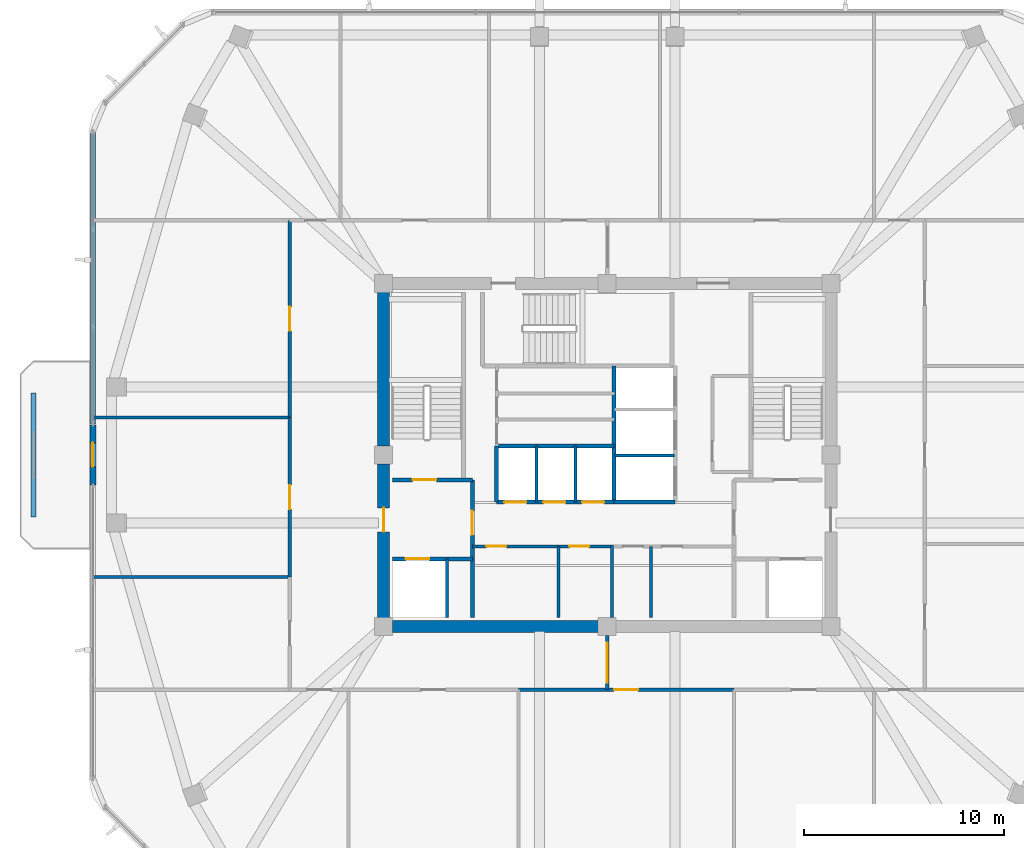
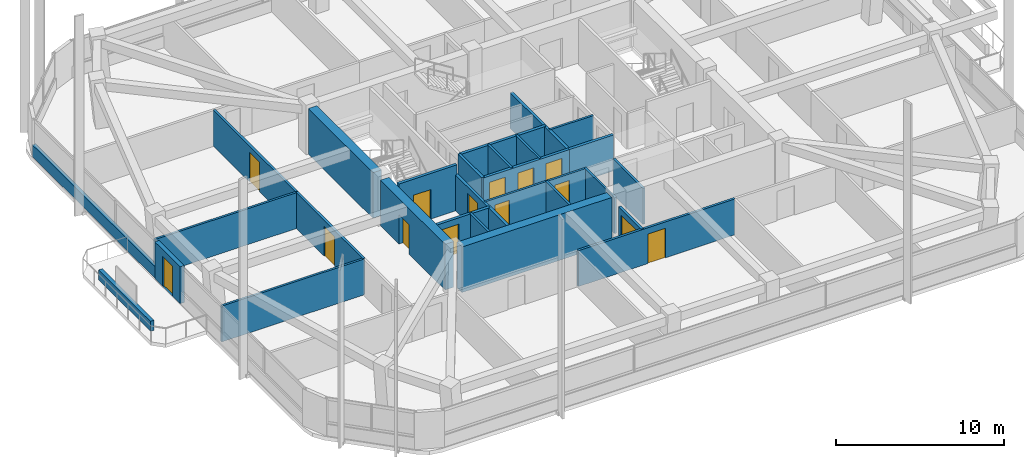
# One storey, part 10 of 17: 28 walls, 14 doors, 14 openings.
"""IFC4 building model written with IfcOpenShell, lengths in metres."""

from ifc_helpers import new_model, si_unit, derived_unit, direction, frame, frame_2d, origin, place, context, subcontext, project, spatial, rectangle, extrude, material, layer, layer_set, type_object, element, fill, save


model = new_model("IFC4")

# Units and contexts
model_context = context("Model", 3, precision=1e-05, world=origin(), true_north=direction((0.0, 1.0)))
body_context = subcontext(model_context, "Body", "Model", "MODEL_VIEW")
ifc_project = project(units=[si_unit("LENGTHUNIT", "METRE"), si_unit("AREAUNIT", "SQUARE_METRE"), si_unit("VOLUMEUNIT", "CUBIC_METRE"), si_unit("PLANEANGLEUNIT", "RADIAN"), si_unit("MASSUNIT", "GRAM", prefix="KILO"), derived_unit("THERMALTRANSMITTANCEUNIT", [(si_unit("POWERUNIT", "WATT"), 1), (si_unit("LENGTHUNIT", "METRE"), -2), (si_unit("THERMODYNAMICTEMPERATUREUNIT", "KELVIN"), -1)])], contexts=[model_context])

# Site, building, storey
site_placement = place(None, origin())
site = spatial("IfcSite", under=ifc_project, at=site_placement, CompositionType="ELEMENT")
building_placement = place(site_placement, origin())
building = spatial("IfcBuilding", under=site, at=building_placement, Name="Koralith Skygarden Medical Center", CompositionType="ELEMENT")
storey_placement = place(building_placement, frame((0.0, 0.0, 207.179931640625)))
storey = spatial("IfcBuildingStorey", under=building, at=storey_placement, Name="L53", CompositionType="ELEMENT", Elevation=207.179931640625)

# Wall, openings, doors
ifc_material_1 = material(Name="Gypsum Board Partition")
ifc_layer_1 = layer(ifc_material_1, 0.14990234375)
ifc_layer_set_1 = layer_set([ifc_layer_1], Name="Gypsum Board Partition")
wall_type_1 = type_object("IfcWallType", Name="Clinical Acoustic Partition 150", PredefinedType="PARTITIONING", material=ifc_layer_set_1)
wall_1_placement = place(storey_placement, frame((30.25, 21.320068359375, 0.0), z_axis=(0.0, 0.0, 1.0), x_axis=(1.0, 0.0, 0.0)))
wall_1 = element("IfcWall", 1, at=wall_1_placement, inside=storey, type_object=wall_type_1, Name="L53 Clinical Acoustic Partition 150 W-CORE-L53-FREED-LR-N", PredefinedType="PARTITIONING", context=body_context, shape_type="SweptSolid", body=[
    extrude(rectangle(XDim=7.0, YDim=0.14990234375, at=frame_2d((3.5, 0.0))), origin(), (0.0, 0.0, 1.0), 2.610107421875),
])
opening_1_placement = place(wall_1_placement, frame((0.699951171875, 0.0, 0.0)))
opening_1 = element("IfcOpeningElement", 2, at=opening_1_placement, cuts=wall_1, Name="Opening D-SUP", PredefinedType="OPENING", context=body_context, shape_type="SweptSolid", body=[
    extrude(rectangle(XDim=1.0, YDim=2.14990234375, at=frame_2d((0.5, 1.074951171875))), frame((0.0, 0.0849609375, 0.0), z_axis=(0.0, -1.0, 0.0), x_axis=(1.0, 0.0, 0.0)), (0.0, 0.0, 1.0), 0.169921875),
])
opening_2_placement = place(wall_1_placement, frame((4.85009765625, 0.0, 0.0)))
opening_2 = element("IfcOpeningElement", 3, at=opening_2_placement, cuts=wall_1, Name="Opening D-SUP", PredefinedType="OPENING", context=body_context, shape_type="SweptSolid", body=[
    extrude(rectangle(XDim=1.0, YDim=2.14990234375, at=frame_2d((0.5, 1.074951171875))), frame((0.0, 0.0849609375, 0.0), z_axis=(0.0, -1.0, 0.0), x_axis=(1.0, 0.0, 0.0)), (0.0, 0.0, 1.0), 0.169921875),
])
ifc_material_2 = material(Name="Aluminium 6063-T6", Category="aluminium")
door_type_1 = type_object("IfcDoorType", Name="Clinical Support Door D-SUP 1000", OperationType="NOTDEFINED", PredefinedType="DOOR", material=ifc_material_2)
door_1_placement = place(opening_1_placement, frame((1.0, 0.0, 0.0), z_axis=(0.0, 0.0, 1.0), x_axis=(-1.0, 0.0, 0.0)))
door_1 = element("IfcDoor", 4, at=door_1_placement, inside=storey, type_object=door_type_1, Name="L53 Medication Preparation Door", OperationType="SINGLE_SWING_LEFT", OverallHeight=2.14990234375, OverallWidth=1.0, PredefinedType="DOOR", context=body_context, shape_type="SweptSolid", body=[
    extrude(rectangle(XDim=1.0, YDim=2.14990234375, at=frame_2d((0.5, 1.074951171875))), frame((0.0, 0.02490234375, 0.0), z_axis=(0.0, -1.0, 0.0), x_axis=(1.0, 0.0, 0.0)), (0.0, 0.0, 1.0), 0.050048828125),
])
fill(opening_1, door_1)
door_2_placement = place(opening_2_placement, frame((1.0, 0.0, 0.0), z_axis=(0.0, 0.0, 1.0), x_axis=(-1.0, 0.0, 0.0)))
door_2 = element("IfcDoor", 5, at=door_2_placement, inside=storey, type_object=door_type_1, Name="L53 Telemetry Room Door", OperationType="SINGLE_SWING_RIGHT", OverallHeight=2.14990234375, OverallWidth=1.0, PredefinedType="DOOR", context=body_context, shape_type="SweptSolid", body=[
    extrude(rectangle(XDim=1.0, YDim=2.14990234375, at=frame_2d((0.5, 1.074951171875))), frame((0.0, 0.02490234375, 0.0), z_axis=(0.0, -1.0, 0.0), x_axis=(1.0, 0.0, 0.0)), (0.0, 0.0, 1.0), 0.050048828125),
])
fill(opening_2, door_2)

# Walls
for number, where, z_axis, x_axis, name in (
    (6, (34.550048828125, 17.75, 0.0), (0.0, 0.0, 1.0), (0.0, 1.0, 0.0), "L53 Clinical Acoustic Partition 150 W-CORE-L53-FREED-LR-M"),
    (7, (39.199951171875, 17.75, 0.0), (0.0, 0.0, 1.0), (0.0, 1.0, 0.0), "L53 Clinical Acoustic Partition 150 W-CORE-L53-FREED-MR-M"),
):
    element("IfcWall", number, at=place(storey_placement, frame(where, z_axis=z_axis, x_axis=x_axis)), inside=storey, type_object=wall_type_1, Name=name, PredefinedType="PARTITIONING", context=body_context, shape_type="SweptSolid", body=[
        extrude(rectangle(XDim=3.570068359375, YDim=0.14990234375, at=frame_2d((1.78515625, 0.0))), origin(), (0.0, 0.0, 1.0), 2.610107421875),
    ])
for number, where, z_axis, x_axis, name in (
    (8, (21.10009765625, 19.7900390625, 0.0), (0.0, 0.0, 1.0), (-1.0, 0.0, 0.0), "L53 Clinical Acoustic Partition 150 W-PART-L53-W-01"),
    (9, (21.10009765625, 27.780029296875, 0.0), (0.0, 0.0, 1.0), (-1.0, 0.0, 0.0), "L53 Clinical Acoustic Partition 150 W-PART-L53-W-02"),
):
    element("IfcWall", number, at=place(storey_placement, frame(where, z_axis=z_axis, x_axis=x_axis)), inside=storey, type_object=wall_type_1, Name=name, PredefinedType="PARTITIONING", context=body_context, shape_type="SweptSolid", body=[
        extrude(rectangle(XDim=9.8330078125, YDim=0.14990234375, at=frame_2d((4.91650390625, 0.0))), origin(), (0.0, 0.0, 1.0), 2.610107421875),
    ])

# Wall, opening, door
ifc_layer_2 = layer(ifc_material_1, 0.1650390625)
ifc_layer_set_2 = layer_set([ifc_layer_2], Name="Gypsum Board Partition")
wall_type_2 = type_object("IfcWallType", Name="Clinical Corridor Partition 165", PredefinedType="PARTITIONING", material=ifc_layer_set_2)
wall_2_placement = place(storey_placement, frame((32.552001953125, 14.14990234375, 0.0), z_axis=(0.0, 0.0, 1.0), x_axis=(1.0, 0.0, 0.0)))
wall_2 = element("IfcWall", 10, at=wall_2_placement, inside=storey, type_object=wall_type_2, Name="L53 Clinical Corridor Partition 165 W-CORR-L53-S-03", PredefinedType="PARTITIONING", context=body_context, shape_type="SweptSolid", body=[
    extrude(rectangle(XDim=10.7900390625, YDim=0.1650390625, at=frame_2d((5.39501953125, 0.0))), origin(), (0.0, 0.0, 1.0), 2.610107421875),
])
opening_3_placement = place(wall_2_placement, frame((4.794921875, 0.0, 0.0)))
opening_3 = element("IfcOpeningElement", 11, at=opening_3_placement, cuts=wall_2, Name="Opening D-CLN", PredefinedType="OPENING", context=body_context, shape_type="SweptSolid", body=[
    extrude(rectangle(XDim=1.199951171875, YDim=2.14990234375, at=frame_2d((0.60009765625, 1.074951171875))), frame((0.0, 0.092529296875, 0.0), z_axis=(0.0, -1.0, 0.0), x_axis=(1.0, 0.0, 0.0)), (0.0, 0.0, 1.0), 0.18505859375),
])
door_type_2 = type_object("IfcDoorType", Name="Clinical Corridor Door D-CLN 1200", OperationType="NOTDEFINED", PredefinedType="DOOR", material=ifc_material_2)
door_3_placement = place(opening_3_placement, frame((1.199951171875, 0.0, 0.0), z_axis=(0.0, 0.0, 1.0), x_axis=(-1.0, 0.0, 0.0)))
door_3 = element("IfcDoor", 12, at=door_3_placement, inside=storey, type_object=door_type_2, Name="L53 Clinical Consultation Office 08 Door", OperationType="SINGLE_SWING_LEFT", OverallHeight=2.14990234375, OverallWidth=1.199951171875, PredefinedType="DOOR", context=body_context, shape_type="SweptSolid", body=[
    extrude(rectangle(XDim=1.199951171875, YDim=2.14990234375, at=frame_2d((0.60009765625, 1.074951171875))), frame((0.0, 0.02490234375, 0.0), z_axis=(0.0, -1.0, 0.0), x_axis=(1.0, 0.0, 0.0)), (0.0, 0.0, 1.0), 0.050048828125),
])
fill(opening_3, door_3)

wall_3_placement = place(storey_placement, frame((21.10009765625, 19.7900390625, 0.0), z_axis=(0.0, 0.0, 1.0), x_axis=(0.0, 1.0, 0.0)))
wall_3 = element("IfcWall", 13, at=wall_3_placement, inside=storey, type_object=wall_type_2, Name="L53 Clinical Corridor Partition 165 W-CORR-L53-W-02", PredefinedType="PARTITIONING", context=body_context, shape_type="SweptSolid", body=[
    extrude(rectangle(XDim=7.989990234375, YDim=0.1650390625, at=frame_2d((3.9951171875, 0.0))), origin(), (0.0, 0.0, 1.0), 2.610107421875),
])
opening_4_placement = place(wall_3_placement, frame((3.39501953125, 0.0, 0.0)))
opening_4 = element("IfcOpeningElement", 14, at=opening_4_placement, cuts=wall_3, Name="Opening D-CLN", PredefinedType="OPENING", context=body_context, shape_type="SweptSolid", body=[
    extrude(rectangle(XDim=1.199951171875, YDim=2.14990234375, at=frame_2d((0.60009765625, 1.074951171875))), frame((0.0, 0.092529296875, 0.0), z_axis=(0.0, -1.0, 0.0), x_axis=(1.0, 0.0, 0.0)), (0.0, 0.0, 1.0), 0.18505859375),
])
door_4_placement = place(opening_4_placement, frame((1.199951171875, 0.0, 0.0), z_axis=(0.0, 0.0, 1.0), x_axis=(-1.0, 0.0, 0.0)))
door_4 = element("IfcDoor", 15, at=door_4_placement, inside=storey, type_object=door_type_2, Name="L53 Patient and Family Sky-Garden Day Lounge 12 Door", OperationType="SINGLE_SWING_LEFT", OverallHeight=2.14990234375, OverallWidth=1.199951171875, PredefinedType="DOOR", context=body_context, shape_type="SweptSolid", body=[
    extrude(rectangle(XDim=1.199951171875, YDim=2.14990234375, at=frame_2d((0.60009765625, 1.074951171875))), frame((0.0, 0.02490234375, 0.0), z_axis=(0.0, -1.0, 0.0), x_axis=(1.0, 0.0, 0.0)), (0.0, 0.0, 1.0), 0.050048828125),
])
fill(opening_4, door_4)

wall_4_placement = place(storey_placement, frame((21.10009765625, 27.780029296875, 0.0), z_axis=(0.0, 0.0, 1.0), x_axis=(0.0, 1.0, 0.0)))
wall_4 = element("IfcWall", 16, at=wall_4_placement, inside=storey, type_object=wall_type_2, Name="L53 Clinical Corridor Partition 165 W-CORR-L53-W-03", PredefinedType="PARTITIONING", context=body_context, shape_type="SweptSolid", body=[
    extrude(rectangle(XDim=9.869873046875, YDim=0.1650390625, at=frame_2d((4.93505859375, 0.0))), origin(), (0.0, 0.0, 1.0), 2.610107421875),
])
opening_5_placement = place(wall_4_placement, frame((4.3349609375, 0.0, 0.0)))
opening_5 = element("IfcOpeningElement", 17, at=opening_5_placement, cuts=wall_4, Name="Opening D-CLN", PredefinedType="OPENING", context=body_context, shape_type="SweptSolid", body=[
    extrude(rectangle(XDim=1.199951171875, YDim=2.14990234375, at=frame_2d((0.60009765625, 1.074951171875))), frame((0.0, 0.092529296875, 0.0), z_axis=(0.0, -1.0, 0.0), x_axis=(1.0, 0.0, 0.0)), (0.0, 0.0, 1.0), 0.18505859375),
])
door_5_placement = place(opening_5_placement, frame((1.199951171875, 0.0, 0.0), z_axis=(0.0, 0.0, 1.0), x_axis=(-1.0, 0.0, 0.0)))
door_5 = element("IfcDoor", 18, at=door_5_placement, inside=storey, type_object=door_type_2, Name="L53 Clinical Consultation Office 13 Door", OperationType="SINGLE_SWING_RIGHT", OverallHeight=2.14990234375, OverallWidth=1.199951171875, PredefinedType="DOOR", context=body_context, shape_type="SweptSolid", body=[
    extrude(rectangle(XDim=1.199951171875, YDim=2.14990234375, at=frame_2d((0.60009765625, 1.074951171875))), frame((0.0, 0.02490234375, 0.0), z_axis=(0.0, -1.0, 0.0), x_axis=(1.0, 0.0, 0.0)), (0.0, 0.0, 1.0), 0.050048828125),
])
fill(opening_5, door_5)

ifc_layer_3 = layer(ifc_material_1, 0.199951171875)
ifc_layer_set_3 = layer_set([ifc_layer_3], Name="Gypsum Board Partition")
wall_type_3 = type_object("IfcWallType", Name="Fire Shaft Wall 200", PredefinedType="SOLIDWALL", material=ifc_layer_set_3)
wall_5_placement = place(storey_placement, frame((26.25, 20.699951171875, 0.0), z_axis=(0.0, 0.0, 1.0), x_axis=(1.0, 0.0, 0.0)))
wall_5 = element("IfcWall", 19, at=wall_5_placement, inside=storey, type_object=wall_type_3, Name="L53 Fire Shaft Wall 200 W-CORE-L53-FF1-N", PredefinedType="SOLIDWALL", context=body_context, shape_type="SweptSolid", body=[
    extrude(rectangle(XDim=4.0, YDim=0.199951171875, at=frame_2d((2.0, 0.0))), origin(), (0.0, 0.0, 1.0), 2.610107421875),
])
opening_6_placement = place(wall_5_placement, frame((0.64990234375, 0.0, 0.0)))
opening_6 = element("IfcOpeningElement", 20, at=opening_6_placement, cuts=wall_5, Name="Opening LD-FF", PredefinedType="OPENING", context=body_context, shape_type="SweptSolid", body=[
    extrude(rectangle(XDim=1.199951171875, YDim=2.14990234375, at=frame_2d((0.60009765625, 1.074951171875))), frame((0.0, 0.10986328125, 0.0), z_axis=(0.0, -1.0, 0.0), x_axis=(1.0, 0.0, 0.0)), (0.0, 0.0, 1.0), 0.219970703125),
])
ifc_material_3 = material(Name="Steel ASTM A500 Grade C", Category="steel")
door_type_3 = type_object("IfcDoorType", Name="Fire Lift Sliding Landing Door LD-FF 1200", OperationType="NOTDEFINED", PredefinedType="DOOR", material=ifc_material_3)
door_6_placement = place(opening_6_placement, origin())
door_6 = element("IfcDoor", 21, at=door_6_placement, inside=storey, type_object=door_type_3, Name="L53 Fire Service Elevator FF1 Landing Door", OperationType="SLIDING_TO_LEFT", OverallHeight=2.14990234375, OverallWidth=1.199951171875, PredefinedType="DOOR", context=body_context, shape_type="SweptSolid", body=[
    extrude(rectangle(XDim=1.199951171875, YDim=2.14990234375, at=frame_2d((0.60009765625, 1.074951171875))), frame((0.0, 0.02490234375, 0.0), z_axis=(0.0, -1.0, 0.0), x_axis=(1.0, 0.0, 0.0)), (0.0, 0.0, 1.0), 0.050048828125),
])
fill(opening_6, door_6)

wall_6_placement = place(storey_placement, frame((30.25, 17.75, 0.0), z_axis=(0.0, 0.0, 1.0), x_axis=(0.0, 1.0, 0.0)))
wall_6 = element("IfcWall", 22, at=wall_6_placement, inside=storey, type_object=wall_type_3, Name="L53 Fire Shaft Wall 200 W-CORE-L53-FSAEW-E", PredefinedType="SOLIDWALL", context=body_context, shape_type="SweptSolid", body=[
    extrude(rectangle(XDim=6.89990234375, YDim=0.199951171875, at=frame_2d((3.449951171875, 0.0))), origin(), (0.0, 0.0, 1.0), 2.610107421875),
])
opening_7_placement = place(wall_6_placement, frame((4.14990234375, 0.0, 0.0)))
opening_7 = element("IfcOpeningElement", 23, at=opening_7_placement, cuts=wall_6, Name="Opening D-ST60", PredefinedType="OPENING", context=body_context, shape_type="SweptSolid", body=[
    extrude(rectangle(XDim=1.199951171875, YDim=2.14990234375, at=frame_2d((0.60009765625, 1.074951171875))), frame((0.0, 0.10986328125, 0.0), z_axis=(0.0, -1.0, 0.0), x_axis=(1.0, 0.0, 0.0)), (0.0, 0.0, 1.0), 0.219970703125),
])
door_type_4 = type_object("IfcDoorType", Name="Smokeproof Stair Fire Door FD60S 1200", OperationType="NOTDEFINED", PredefinedType="DOOR", material=ifc_material_3)
door_7_placement = place(opening_7_placement, origin())
door_7 = element("IfcDoor", 24, at=door_7_placement, inside=storey, type_object=door_type_4, Name="L53 West Firefighting Lobby Inner Fire Door", OperationType="SINGLE_SWING_LEFT", OverallHeight=2.14990234375, OverallWidth=1.199951171875, PredefinedType="DOOR", context=body_context, shape_type="SweptSolid", body=[
    extrude(rectangle(XDim=1.199951171875, YDim=2.14990234375, at=frame_2d((0.60009765625, 1.074951171875))), frame((0.0, 0.02490234375, 0.0), z_axis=(0.0, -1.0, 0.0), x_axis=(1.0, 0.0, 0.0)), (0.0, 0.0, 1.0), 0.050048828125),
])
fill(opening_7, door_7)

# Wall, openings, doors
wall_7_placement = place(storey_placement, frame((31.449951171875, 23.5400390625, 0.0), z_axis=(0.0, 0.0, 1.0), x_axis=(1.0, 0.0, 0.0)))
wall_7 = element("IfcWall", 25, at=wall_7_placement, inside=storey, type_object=wall_type_3, Name="L53 Fire Shaft Wall 200 W-CORE-L53-PH-S", PredefinedType="SOLIDWALL", context=body_context, shape_type="SweptSolid", body=[
    extrude(rectangle(XDim=5.900146484375, YDim=0.199951171875, at=frame_2d((2.9501953125, 0.0))), origin(), (0.0, 0.0, 1.0), 2.610107421875),
])
opening_8_placement = place(wall_7_placement, frame((0.39990234375, 0.0, 0.0)))
opening_8 = element("IfcOpeningElement", 26, at=opening_8_placement, cuts=wall_7, Name="Opening LD-P", PredefinedType="OPENING", context=body_context, shape_type="SweptSolid", body=[
    extrude(rectangle(XDim=1.10009765625, YDim=2.14990234375, at=frame_2d((0.550048828125, 1.074951171875))), frame((0.0, 0.10986328125, 0.0), z_axis=(0.0, -1.0, 0.0), x_axis=(1.0, 0.0, 0.0)), (0.0, 0.0, 1.0), 0.219970703125),
])
opening_9_placement = place(wall_7_placement, frame((2.35009765625, 0.0, 0.0)))
opening_9 = element("IfcOpeningElement", 27, at=opening_9_placement, cuts=wall_7, Name="Opening LD-P", PredefinedType="OPENING", context=body_context, shape_type="SweptSolid", body=[
    extrude(rectangle(XDim=1.10009765625, YDim=2.14990234375, at=frame_2d((0.550048828125, 1.074951171875))), frame((0.0, 0.10986328125, 0.0), z_axis=(0.0, -1.0, 0.0), x_axis=(1.0, 0.0, 0.0)), (0.0, 0.0, 1.0), 0.219970703125),
])
opening_10_placement = place(wall_7_placement, frame((4.300048828125, 0.0, 0.0)))
opening_10 = element("IfcOpeningElement", 28, at=opening_10_placement, cuts=wall_7, Name="Opening LD-P", PredefinedType="OPENING", context=body_context, shape_type="SweptSolid", body=[
    extrude(rectangle(XDim=1.10009765625, YDim=2.14990234375, at=frame_2d((0.550048828125, 1.074951171875))), frame((0.0, 0.10986328125, 0.0), z_axis=(0.0, -1.0, 0.0), x_axis=(1.0, 0.0, 0.0)), (0.0, 0.0, 1.0), 0.219970703125),
])
door_type_5 = type_object("IfcDoorType", Name="Passenger Lift Sliding Landing Door LD-P 1100", OperationType="NOTDEFINED", PredefinedType="DOOR", material=ifc_material_3)
door_8_placement = place(opening_8_placement, origin())
door_8 = element("IfcDoor", 29, at=door_8_placement, inside=storey, type_object=door_type_5, Name="L53 Passenger Elevator PH1 Landing Door", OperationType="SLIDING_TO_RIGHT", OverallHeight=2.14990234375, OverallWidth=1.10009765625, PredefinedType="DOOR", context=body_context, shape_type="SweptSolid", body=[
    extrude(rectangle(XDim=1.10009765625, YDim=2.14990234375, at=frame_2d((0.550048828125, 1.074951171875))), frame((0.0, 0.02490234375, 0.0), z_axis=(0.0, -1.0, 0.0), x_axis=(1.0, 0.0, 0.0)), (0.0, 0.0, 1.0), 0.050048828125),
])
fill(opening_8, door_8)
door_9_placement = place(opening_9_placement, origin())
door_9 = element("IfcDoor", 30, at=door_9_placement, inside=storey, type_object=door_type_5, Name="L53 Passenger Elevator PH2 Landing Door", OperationType="SLIDING_TO_RIGHT", OverallHeight=2.14990234375, OverallWidth=1.10009765625, PredefinedType="DOOR", context=body_context, shape_type="SweptSolid", body=[
    extrude(rectangle(XDim=1.10009765625, YDim=2.14990234375, at=frame_2d((0.550048828125, 1.074951171875))), frame((0.0, 0.02490234375, 0.0), z_axis=(0.0, -1.0, 0.0), x_axis=(1.0, 0.0, 0.0)), (0.0, 0.0, 1.0), 0.050048828125),
])
fill(opening_9, door_9)
door_10_placement = place(opening_10_placement, origin())
door_10 = element("IfcDoor", 31, at=door_10_placement, inside=storey, type_object=door_type_5, Name="L53 Passenger Elevator PH3 Landing Door", OperationType="SLIDING_TO_RIGHT", OverallHeight=2.14990234375, OverallWidth=1.10009765625, PredefinedType="DOOR", context=body_context, shape_type="SweptSolid", body=[
    extrude(rectangle(XDim=1.10009765625, YDim=2.14990234375, at=frame_2d((0.550048828125, 1.074951171875))), frame((0.0, 0.02490234375, 0.0), z_axis=(0.0, -1.0, 0.0), x_axis=(1.0, 0.0, 0.0)), (0.0, 0.0, 1.0), 0.050048828125),
])
fill(opening_10, door_10)

# Walls
wall_8_placement = place(storey_placement, frame((31.449951171875, 26.35009765625, 0.0), z_axis=(0.0, 0.0, 1.0), x_axis=(1.0, 0.0, 0.0)))
element("IfcWall", 32, at=wall_8_placement, inside=storey, type_object=wall_type_3, Name="L53 Fire Shaft Wall 200 W-CORE-L53-PH-N", PredefinedType="SOLIDWALL", context=body_context, shape_type="SweptSolid", body=[
    extrude(rectangle(XDim=5.900146484375, YDim=0.199951171875, at=frame_2d((2.9501953125, 0.0))), origin(), (0.0, 0.0, 1.0), 2.610107421875),
])
wall_9_placement = place(storey_placement, frame((31.449951171875, 23.5400390625, 0.0), z_axis=(0.0, 0.0, 1.0), x_axis=(0.0, 1.0, 0.0)))
element("IfcWall", 33, at=wall_9_placement, inside=storey, type_object=wall_type_3, Name="L53 Fire Shaft Wall 200 W-CORE-L53-PH-W", PredefinedType="SOLIDWALL", context=body_context, shape_type="SweptSolid", body=[
    extrude(rectangle(XDim=2.81005859375, YDim=0.199951171875, at=frame_2d((1.405029296875, 0.0))), origin(), (0.0, 0.0, 1.0), 2.610107421875),
])
wall_10_placement = place(storey_placement, frame((37.35009765625, 23.5400390625, 0.0), z_axis=(0.0, 0.0, 1.0), x_axis=(0.0, 1.0, 0.0)))
element("IfcWall", 34, at=wall_10_placement, inside=storey, type_object=wall_type_3, Name="L53 Fire Shaft Wall 200 W-CORE-L53-SV-W", PredefinedType="SOLIDWALL", context=body_context, shape_type="SweptSolid", body=[
    extrude(rectangle(XDim=6.820068359375, YDim=0.199951171875, at=frame_2d((3.41015625, 0.0))), origin(), (0.0, 0.0, 1.0), 2.610107421875),
])
wall_11_placement = place(storey_placement, frame((37.35009765625, 23.5400390625, 0.0), z_axis=(0.0, 0.0, 1.0), x_axis=(1.0, 0.0, 0.0)))
element("IfcWall", 35, at=wall_11_placement, inside=storey, type_object=wall_type_3, Name="L53 Fire Shaft Wall 200 W-CORE-L53-SV-S", PredefinedType="SOLIDWALL", context=body_context, shape_type="SweptSolid", body=[
    extrude(rectangle(XDim=3.0498046875, YDim=0.199951171875, at=frame_2d((1.52490234375, 0.0))), origin(), (0.0, 0.0, 1.0), 2.610107421875),
])

# Wall, opening, door
ifc_layer_4 = layer(ifc_material_1, 0.179931640625)
ifc_layer_set_4 = layer_set([ifc_layer_4], Name="Gypsum Board Partition")
wall_type_4 = type_object("IfcWallType", Name="Group I-2 Smoke Barrier Wall 180", PredefinedType="PARTITIONING", material=ifc_layer_set_4)
wall_12_placement = place(storey_placement, frame((37.0, 14.14990234375, 0.0), z_axis=(0.0, 0.0, 1.0), x_axis=(0.0, 1.0, 0.0)))
wall_12 = element("IfcWall", 36, at=wall_12_placement, inside=storey, type_object=wall_type_4, Name="L53 Group I-2 Smoke Barrier Wall 180 W-SMK-L53-S", PredefinedType="PARTITIONING", context=body_context, shape_type="SweptSolid", body=[
    extrude(rectangle(XDim=2.7001953125, YDim=0.179931640625, at=frame_2d((1.35009765625, 0.0))), origin(), (0.0, 0.0, 1.0), 2.610107421875),
])
opening_11_placement = place(wall_12_placement, frame((0.35009765625, 0.0, 0.0)))
opening_11 = element("IfcOpeningElement", 37, at=opening_11_placement, cuts=wall_12, Name="Opening D-SMK", PredefinedType="OPENING", context=body_context, shape_type="SweptSolid", body=[
    extrude(rectangle(XDim=2.0, YDim=2.199951171875, at=frame_2d((1.0, 1.10009765625))), frame((0.0, 0.099853515625, 0.0), z_axis=(0.0, -1.0, 0.0), x_axis=(1.0, 0.0, 0.0)), (0.0, 0.0, 1.0), 0.199951171875),
])
door_type_6 = type_object("IfcDoorType", Name="Cross-Corridor Double Smoke Door FD60S 2000", OperationType="NOTDEFINED", PredefinedType="DOOR", material=ifc_material_3)
door_11_placement = place(opening_11_placement, frame((2.0, 0.0, 0.0), z_axis=(0.0, 0.0, 1.0), x_axis=(-1.0, 0.0, 0.0)))
door_11 = element("IfcDoor", 38, at=door_11_placement, inside=storey, type_object=door_type_6, Name="L53 S Smoke Compartment Cross-Corridor Door", OperationType="DOUBLE_DOOR_SINGLE_SWING", OverallHeight=2.199951171875, OverallWidth=2.0, PredefinedType="DOOR", context=body_context, shape_type="SweptSolid", body=[
    extrude(rectangle(XDim=2.0, YDim=2.199951171875, at=frame_2d((1.0, 1.10009765625))), frame((0.0, 0.02490234375, 0.0), z_axis=(0.0, -1.0, 0.0), x_axis=(1.0, 0.0, 0.0)), (0.0, 0.0, 1.0), 0.050048828125),
])
fill(opening_11, door_11)

# Wall
ifc_material_4 = material(Name="Warm Oolitic Limestone Cladding", Category="masonry")
ifc_layer_5 = layer(ifc_material_4, 0.239990234375)
ifc_layer_set_5 = layer_set([ifc_layer_5], Name="Warm Oolitic Limestone Cladding")
wall_type_5 = type_object("IfcWallType", Name="Limestone Spandrel Sill Backup Wall 240", PredefinedType="SOLIDWALL", material=ifc_layer_set_5)
wall_13_placement = place(storey_placement, frame((11.2470703125, 42.08203125, 0.0), z_axis=(0.0, 0.0, 1.0), x_axis=(0.0, -1.0, 0.0)))
element("IfcWall", 39, at=wall_13_placement, inside=storey, type_object=wall_type_5, Name="L53 Sill Spandrel W-L", PredefinedType="SOLIDWALL", context=body_context, shape_type="SweptSolid", body=[
    extrude(rectangle(XDim=14.64111328125, YDim=0.239990234375, at=frame_2d((7.320556640625, 0.0))), origin(), (0.0, 0.0, 1.0), 0.85009765625),
])

# Wall, opening, door
ifc_layer_6 = layer(ifc_material_4, 0.300048828125)
ifc_layer_set_6 = layer_set([ifc_layer_6], Name="Warm Oolitic Limestone Cladding")
wall_type_6 = type_object("IfcWallType", Name="Oolitic Limestone Insulated Facade Wall 300", PredefinedType="SOLIDWALL", material=ifc_layer_set_6)
wall_14_placement = place(storey_placement, frame((11.2470703125, 27.40087890625, 0.0), z_axis=(0.0, 0.0, 1.0), x_axis=(0.0, -1.0, 0.0)))
wall_14 = element("IfcWall", 40, at=wall_14_placement, inside=storey, type_object=wall_type_6, Name="L53 Terrace Portal Wall W", PredefinedType="SOLIDWALL", context=body_context, shape_type="SweptSolid", body=[
    extrude(rectangle(XDim=3.0, YDim=0.300048828125, at=frame_2d((1.5, 0.0))), origin(), (0.0, 0.0, 1.0), 2.690185546875),
])
opening_12_placement = place(wall_14_placement, frame((0.89990234375, 0.0, 0.0)))
opening_12 = element("IfcOpeningElement", 41, at=opening_12_placement, cuts=wall_14, Name="Opening D-BAL", PredefinedType="OPENING", context=body_context, shape_type="SweptSolid", body=[
    extrude(rectangle(XDim=1.199951171875, YDim=2.199951171875, at=frame_2d((0.60009765625, 1.10009765625))), frame((0.0, 0.159912109375, 0.0), z_axis=(0.0, -1.0, 0.0), x_axis=(1.0, 0.0, 0.0)), (0.0, 0.0, 1.0), 0.320068359375),
])
door_type_7 = type_object("IfcDoorType", Name="Planted Balcony Glazed Terrace Door D-BAL 1200", OperationType="NOTDEFINED", PredefinedType="DOOR", material=ifc_material_2)
door_12_placement = place(opening_12_placement, origin())
door_12 = element("IfcDoor", 42, at=door_12_placement, inside=storey, type_object=door_type_7, Name="L53 W Outdoor Terrace Access Door", OperationType="SINGLE_SWING_RIGHT", OverallHeight=2.199951171875, OverallWidth=1.199951171875, PredefinedType="DOOR", context=body_context, shape_type="SweptSolid", body=[
    extrude(rectangle(XDim=1.199951171875, YDim=2.199951171875, at=frame_2d((0.60009765625, 1.10009765625))), frame((0.0, 0.02490234375, 0.0), z_axis=(0.0, -1.0, 0.0), x_axis=(1.0, 0.0, 0.0)), (0.0, 0.0, 1.0), 0.050048828125),
])
fill(opening_12, door_12)

# Walls
ifc_layer_7 = layer(ifc_material_1, 0.14990234375)
ifc_layer_set_7 = layer_set([ifc_layer_7], Name="Gypsum Board Partition")
wall_type_7 = type_object("IfcWallType", Name="Shaft Partition Wall 150", PredefinedType="PARTITIONING", material=ifc_layer_set_7)
wall_15_placement = place(storey_placement, frame((28.969970703125, 17.75, 0.0), z_axis=(0.0, 0.0, 1.0), x_axis=(0.0, 1.0, 0.0)))
element("IfcWall", 43, at=wall_15_placement, inside=storey, type_object=wall_type_7, Name="L53 Shaft Partition Wall 150 W-CORE-L53-RSRW-DIV", PredefinedType="PARTITIONING", context=body_context, shape_type="SweptSolid", body=[
    extrude(rectangle(XDim=2.949951171875, YDim=0.14990234375, at=frame_2d((1.47509765625, 0.0))), origin(), (0.0, 0.0, 1.0), 2.610107421875),
])
wall_16_placement = place(storey_placement, frame((37.25, 17.75, 0.0), z_axis=(0.0, 0.0, 1.0), x_axis=(0.0, 1.0, 0.0)))
element("IfcWall", 44, at=wall_16_placement, inside=storey, type_object=wall_type_7, Name="L53 Shaft Partition Wall 150 W-CORE-L53-PL-PM-SEP", PredefinedType="PARTITIONING", context=body_context, shape_type="SweptSolid", body=[
    extrude(rectangle(XDim=3.64990234375, YDim=0.14990234375, at=frame_2d((1.824951171875, 0.0))), origin(), (0.0, 0.0, 1.0), 2.610107421875),
])
for number, where, z_axis, x_axis, name in (
    (45, (33.449951171875, 23.5400390625, 0.0), (0.0, 0.0, 1.0), (0.0, 1.0, 0.0), "L53 Shaft Partition Wall 150 W-CORE-L53-PH-D1"),
    (46, (35.39990234375, 23.5400390625, 0.0), (0.0, 0.0, 1.0), (0.0, 1.0, 0.0), "L53 Shaft Partition Wall 150 W-CORE-L53-PH-D2"),
):
    element("IfcWall", number, at=place(storey_placement, frame(where, z_axis=z_axis, x_axis=x_axis)), inside=storey, type_object=wall_type_7, Name=name, PredefinedType="PARTITIONING", context=body_context, shape_type="SweptSolid", body=[
        extrude(rectangle(XDim=2.81005859375, YDim=0.14990234375, at=frame_2d((1.405029296875, 0.0))), origin(), (0.0, 0.0, 1.0), 2.610107421875),
    ])
wall_17_placement = place(storey_placement, frame((37.3701171875, 25.8701171875, 0.0), z_axis=(0.0, 0.0, 1.0), x_axis=(1.0, 0.0, 0.0)))
element("IfcWall", 47, at=wall_17_placement, inside=storey, type_object=wall_type_7, Name="L53 Shaft Partition Wall 150 W-CORE-L53-SV-D1", PredefinedType="PARTITIONING", context=body_context, shape_type="SweptSolid", body=[
    extrude(rectangle(XDim=3.009765625, YDim=0.14990234375, at=frame_2d((1.5048828125, 0.0))), origin(), (0.0, 0.0, 1.0), 2.610107421875),
])
ifc_material_5 = material(Name="Precast concrete C40/50", Category="concrete")
ifc_layer_8 = layer(ifc_material_5, 0.25)
ifc_layer_set_8 = layer_set([ifc_layer_8], Name="Precast concrete C40/50")
wall_type_8 = type_object("IfcWallType", Name="Structural Concrete Balcony Planter Kerb 250", PredefinedType="PARAPET", material=ifc_layer_set_8)
wall_18_placement = place(storey_placement, frame((8.26708984375, 22.800048828125, 0.0), z_axis=(0.0, 0.0, 1.0), x_axis=(0.0, 1.0, 0.0)))
element("IfcWall", 48, at=wall_18_placement, inside=storey, type_object=wall_type_8, Name="L53 W Structural Tree PLANTER Box", PredefinedType="PARAPET", context=body_context, shape_type="SweptSolid", body=[
    extrude(rectangle(XDim=6.199951171875, YDim=0.25, at=frame_2d((3.10009765625, 0.0))), origin(), (0.0, 0.0, 1.0), 0.719970703125),
])

# Wall, opening, door
ifc_material_6 = material(Name="Concrete C45/55", Category="concrete")
ifc_layer_9 = layer(ifc_material_6, 0.199951171875)
ifc_layer_set_9 = layer_set([ifc_layer_9], Name="Concrete C45/55")
wall_type_9 = type_object("IfcWallType", Name="Structural Stair Shaft Wall 200", PredefinedType="SHEAR", material=ifc_layer_set_9)
wall_19_placement = place(storey_placement, frame((26.25, 24.64990234375, 0.0), z_axis=(0.0, 0.0, 1.0), x_axis=(1.0, 0.0, 0.0)))
wall_19 = element("IfcWall", 49, at=wall_19_placement, inside=storey, type_object=wall_type_9, Name="L53 Structural Stair Shaft Wall 200 W-CORE-L53-ST1-S", PredefinedType="SHEAR", context=body_context, shape_type="SweptSolid", body=[
    extrude(rectangle(XDim=4.0, YDim=0.199951171875, at=frame_2d((2.0, 0.0))), origin(), (0.0, 0.0, 1.0), 3.320068359375),
])
opening_13_placement = place(wall_19_placement, frame((1.0, 0.0, 0.0)))
opening_13 = element("IfcOpeningElement", 50, at=opening_13_placement, cuts=wall_19, Name="Opening D-ST60", PredefinedType="OPENING", context=body_context, shape_type="SweptSolid", body=[
    extrude(rectangle(XDim=1.199951171875, YDim=2.14990234375, at=frame_2d((0.60009765625, 1.074951171875))), frame((0.0, 0.10986328125, 0.0), z_axis=(0.0, -1.0, 0.0), x_axis=(1.0, 0.0, 0.0)), (0.0, 0.0, 1.0), 0.219970703125),
])
door_13_placement = place(opening_13_placement, origin())
door_13 = element("IfcDoor", 51, at=door_13_placement, inside=storey, type_object=door_type_4, Name="L53 Exit Stair ST1 Fire Door", OperationType="SINGLE_SWING_LEFT", OverallHeight=2.14990234375, OverallWidth=1.199951171875, PredefinedType="DOOR", context=body_context, shape_type="SweptSolid", body=[
    extrude(rectangle(XDim=1.199951171875, YDim=2.14990234375, at=frame_2d((0.60009765625, 1.074951171875))), frame((0.0, 0.02490234375, 0.0), z_axis=(0.0, -1.0, 0.0), x_axis=(1.0, 0.0, 0.0)), (0.0, 0.0, 1.0), 0.050048828125),
])
fill(opening_13, door_13)

# Walls
ifc_material_7 = material(Name="Concrete C55/67", Category="concrete")
ifc_layer_10 = layer(ifc_material_7, 0.60009765625)
ifc_layer_set_10 = layer_set([ifc_layer_10], Name="Concrete C55/67")
wall_type_10 = type_object("IfcWallType", Name="Upper Core Shear Wall 600", PredefinedType="SHEAR", material=ifc_layer_set_10)
wall_20_placement = place(storey_placement, frame((26.2451171875, 17.300048828125, 0.0), z_axis=(0.0, 0.0, 1.0), x_axis=(1.0, 0.0, 0.0)))
element("IfcWall", 52, at=wall_20_placement, inside=storey, type_object=wall_type_10, Name="L53 Core Shear Wall Segment 1", PredefinedType="SHEAR", context=body_context, shape_type="SweptSolid", body=[
    extrude(rectangle(XDim=10.309814453125, YDim=0.60009765625, at=frame_2d((5.15478515625, 0.0))), origin(), (0.0, 0.0, 1.0), 3.320068359375),
])
wall_21_placement = place(storey_placement, frame((25.800048828125, 34.054931640625, 0.0), z_axis=(0.0, 0.0, 1.0), x_axis=(0.0, -1.0, 0.0)))
element("IfcWall", 53, at=wall_21_placement, inside=storey, type_object=wall_type_10, Name="L53 Core Shear Wall Segment 7", PredefinedType="SHEAR", context=body_context, shape_type="SweptSolid", body=[
    extrude(rectangle(XDim=7.7099609375, YDim=0.60009765625, at=frame_2d((3.85498046875, 0.0))), origin(), (0.0, 0.0, 1.0), 3.320068359375),
])

# Wall, opening, door
wall_22_placement = place(storey_placement, frame((25.800048828125, 25.455078125, 0.0), z_axis=(0.0, 0.0, 1.0), x_axis=(0.0, -1.0, 0.0)))
wall_22 = element("IfcWall", 54, at=wall_22_placement, inside=storey, type_object=wall_type_10, Name="L53 Core Shear Wall Segment 8", PredefinedType="SHEAR", context=body_context, shape_type="SweptSolid", body=[
    extrude(rectangle(XDim=7.7099609375, YDim=0.60009765625, at=frame_2d((3.85498046875, 0.0))), origin(), (0.0, 0.0, 1.0), 3.320068359375),
])
opening_14_placement = place(wall_22_placement, frame((2.205078125, 0.0, 0.0)))
opening_14 = element("IfcOpeningElement", 55, at=opening_14_placement, cuts=wall_22, Name="Opening D-ST60", PredefinedType="OPENING", context=body_context, shape_type="SweptSolid", body=[
    extrude(rectangle(XDim=1.199951171875, YDim=2.14990234375, at=frame_2d((0.60009765625, 1.074951171875))), frame((0.0, 0.31005859375, 0.0), z_axis=(0.0, -1.0, 0.0), x_axis=(1.0, 0.0, 0.0)), (0.0, 0.0, 1.0), 0.6201171875),
])
door_14_placement = place(opening_14_placement, frame((1.199951171875, 0.0, 0.0), z_axis=(0.0, 0.0, 1.0), x_axis=(-1.0, 0.0, 0.0)))
door_14 = element("IfcDoor", 56, at=door_14_placement, inside=storey, type_object=door_type_4, Name="L53 West Corridor to Firefighting Lobby Door", OperationType="SINGLE_SWING_LEFT", OverallHeight=2.14990234375, OverallWidth=1.199951171875, PredefinedType="DOOR", context=body_context, shape_type="SweptSolid", body=[
    extrude(rectangle(XDim=1.199951171875, YDim=2.14990234375, at=frame_2d((0.60009765625, 1.074951171875))), frame((0.0, 0.02490234375, 0.0), z_axis=(0.0, -1.0, 0.0), x_axis=(1.0, 0.0, 0.0)), (0.0, 0.0, 1.0), 0.050048828125),
])
fill(opening_14, door_14)

save(model, "model.ifc")
